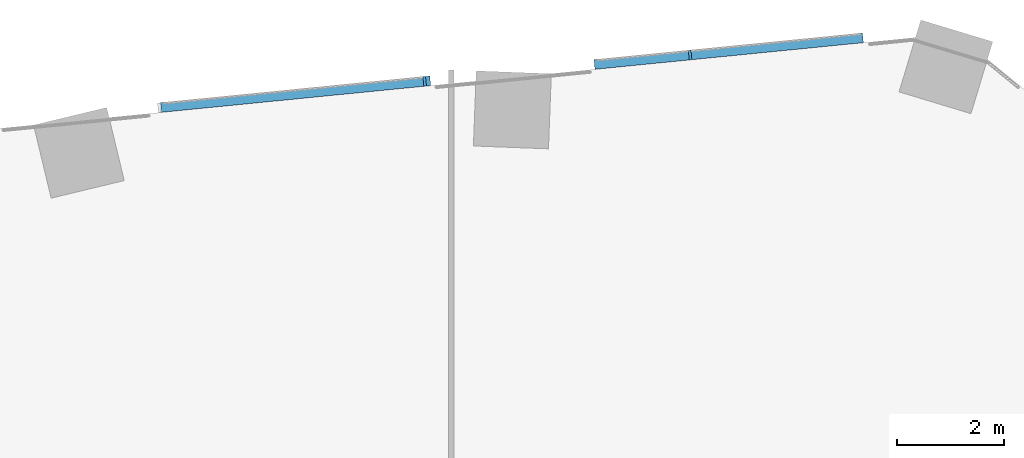
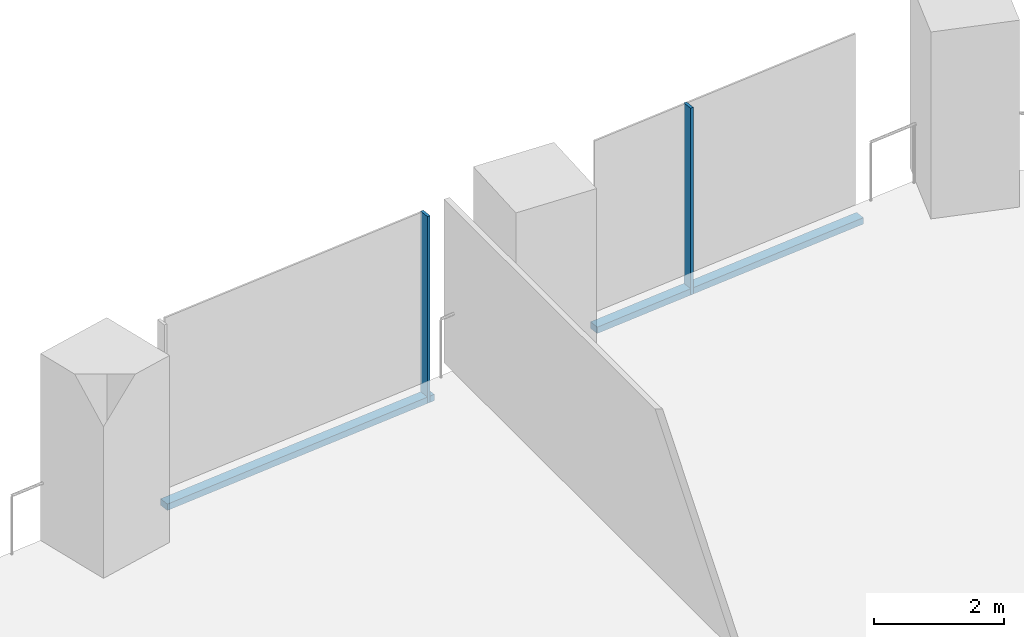
# One storey, part 12 of 34: 4 members, 1 element without a shape of its own.
"""IFC4 building model written with IfcOpenShell, lengths in metres."""

import ifcopenshell
import ifcopenshell.guid

model = None  # the IFC model being written
_history = None  # IfcOwnerHistory: only IFC2X3 demands one
_inside = {}  # id of a spatial element -> (the spatial element, [elements in it])
_under = {}  # id of a project, library or spatial element -> (it, [spatial elements below it])
_declared = {}  # id of a project -> (the project, [libraries it declares])
_typed = {}  # id of a type object -> (the type object, [elements of that type])
_made_of = {}  # id of a material, layer set ... -> (it, [elements and type objects made of it])


def new_model(schema):
    """Start an empty IFC model of exactly this schema.

    Asked for "IFC4X3", IfcOpenShell would pick the latest addendum, in which some entities
    have other attributes; the version numbers below select the first issue.
    IFC2X3 requires an IfcOwnerHistory on every rooted entity: one is made here for all.
    """
    global model, _history
    if schema == "IFC4X3":
        model = ifcopenshell.file(schema_version=(4, 3, 0, 0))
    else:
        model = ifcopenshell.file(schema=schema)
    _inside.clear()
    _under.clear()
    _declared.clear()
    _typed.clear()
    _made_of.clear()
    _history = None
    if model.schema == "IFC2X3":
        org = make("IfcOrganization", Name="unknown")
        user = make(
            "IfcPersonAndOrganization",
            ThePerson=make("IfcPerson", FamilyName="unknown"),
            TheOrganization=org,
        )
        app = make(
            "IfcApplication",
            ApplicationDeveloper=org,
            Version="unknown",
            ApplicationFullName="unknown",
            ApplicationIdentifier="unknown",
        )
        _history = make(
            "IfcOwnerHistory",
            OwningUser=user,
            OwningApplication=app,
            ChangeAction="ADDED",
            CreationDate=0,
        )
    return model


def make(cls, **values):
    """One entity of the class cls with the attributes given. An attribute that is None is left unset."""
    return model.create_entity(
        cls, **{name: value for name, value in values.items() if value is not None}
    )


def rooted(cls, **values):
    """An entity with a GlobalId (a new one), such as an element, a storey or a relation."""
    return make(cls, GlobalId=ifcopenshell.guid.new(), OwnerHistory=_history, **values)


def si_unit(unit_type, name, prefix=None):
    """IfcSIUnit, for example si_unit("LENGTHUNIT", "METRE", prefix="MILLI")."""
    return make("IfcSIUnit", UnitType=unit_type, Prefix=prefix, Name=name)


def assignment(units):
    """IfcUnitAssignment: the units of a project."""
    return None if units is None else make("IfcUnitAssignment", Units=units)


def point(xyz):
    """IfcCartesianPoint."""
    return None if xyz is None else make("IfcCartesianPoint", Coordinates=xyz)


def direction(xyz):
    """IfcDirection."""
    return None if xyz is None else make("IfcDirection", DirectionRatios=xyz)


def frame(location, z_axis=None, x_axis=None):
    """IfcAxis2Placement3D, a coordinate frame: its origin and axes. An axis left out is left unset."""
    return make(
        "IfcAxis2Placement3D",
        Location=point(location),
        Axis=direction(z_axis),
        RefDirection=direction(x_axis),
    )


def frame_2d(location, x_axis=None):
    """IfcAxis2Placement2D, a coordinate frame in the plane: its origin and x axis."""
    return make(
        "IfcAxis2Placement2D", Location=point(location), RefDirection=direction(x_axis)
    )


def origin():
    """The frame at (0, 0, 0) with its axes left unset."""
    return frame((0.0, 0.0, 0.0))


def origin_2d():
    """The frame at (0, 0) in the plane with its x axis left unset."""
    return frame_2d((0.0, 0.0))


def place(relative_to, where):
    """IfcLocalPlacement: puts the frame where relative to a parent placement (None: the world)."""
    return make(
        "IfcLocalPlacement", PlacementRelTo=relative_to, RelativePlacement=where
    )


def context(
    kind, dimensions, precision=None, world=None, true_north=None, identifier=None
):
    """IfcGeometricRepresentationContext, for example the 3D "Model" context."""
    return make(
        "IfcGeometricRepresentationContext",
        ContextIdentifier=identifier,
        ContextType=kind,
        CoordinateSpaceDimension=dimensions,
        Precision=precision,
        WorldCoordinateSystem=world,
        TrueNorth=true_north,
    )


def subcontext(parent, identifier, kind, view, scale=None):
    """IfcGeometricRepresentationSubContext, for example "Body" below "Model"."""
    return make(
        "IfcGeometricRepresentationSubContext",
        ContextIdentifier=identifier,
        ContextType=kind,
        ParentContext=parent,
        TargetScale=scale,
        TargetView=view,
    )


def project(units=None, contexts=None):
    """IfcProject with its units and contexts."""
    return rooted(
        "IfcProject",
        Name="project",
        RepresentationContexts=contexts,
        UnitsInContext=assignment(units),
    )


def spatial(cls, under=None, at=None, **own):
    """A site, building, storey or space (cls), placed at a placement, below another one or the project."""
    s = rooted(cls, ObjectPlacement=at, **own)
    if under is not None:
        _under.setdefault(under.id(), (under, []))[1].append(s)
    return s


def profile(cls, at=None, kind="AREA", **sizes):
    """A parametric profile (cls). Its sizes go by their IFC names, for example OverallWidth=200.0."""
    return make(cls, ProfileType=kind, Position=at, **sizes)


def rectangle(**sizes):
    """IfcRectangleProfileDef."""
    return profile("IfcRectangleProfileDef", **sizes)


def extrude(swept, where, along, depth):
    """IfcExtrudedAreaSolid: the profile swept, set in the frame where, extruded along a direction by depth."""
    return make(
        "IfcExtrudedAreaSolid",
        SweptArea=swept,
        Position=where,
        ExtrudedDirection=direction(along),
        Depth=depth,
    )


def shape(context_of_items, identifier, shape_type, items):
    """IfcShapeRepresentation: the items that make up one representation, for example the "Body"."""
    return make(
        "IfcShapeRepresentation",
        ContextOfItems=context_of_items,
        RepresentationIdentifier=identifier,
        RepresentationType=shape_type,
        Items=items,
    )


def material(Name=None, Category=None):
    """IfcMaterial."""
    return make("IfcMaterial", Name=Name, Category=Category)


def material_profile(
    of_material, cross_section, Name=None, Category=None, Priority=None
):
    """IfcMaterialProfile: a cross section and its material."""
    return make(
        "IfcMaterialProfile",
        Name=Name,
        Material=of_material,
        Profile=cross_section,
        Priority=Priority,
        Category=Category,
    )


def profile_set(profiles, Name=None, composite=None):
    """IfcMaterialProfileSet."""
    return make(
        "IfcMaterialProfileSet",
        Name=Name,
        MaterialProfiles=profiles,
        CompositeProfile=composite,
    )


def made_of(thing, what):
    """Note that an element or type object is made of a material, layer set ...; save() writes the relation."""
    if what is not None:
        _made_of.setdefault(what.id(), (what, []))[1].append(thing)
    return thing


def type_object(cls, material=None, **own):
    """A type object (cls), such as IfcWallType, which elements share."""
    return made_of(rooted(cls, **own), material)


def element(
    cls,
    number,
    at=None,
    inside=None,
    cuts=None,
    type_object=None,
    material=None,
    context=None,
    identifier="Body",
    shape_type=None,
    held_by="IfcProductDefinitionShape",
    body=None,
    shapes=None,
    **own,
):
    """One element of the class cls, such as IfcWall. Its Tag is "e" and its number.

    at: its placement. inside: the storey or other place that contains it. cuts: it is an
    opening in that element (IfcRelVoidsElement). A single representation is given by context,
    identifier, shape_type and body (its items); several are given by shapes. held_by: the class
    of the entity that holds the representations. save() writes the other relations.
    """
    e = rooted(cls, Tag="e%d" % number, ObjectPlacement=at, **own)
    if body is not None:
        shapes = [shape(context, identifier, shape_type, body)]
    if shapes is not None:
        e.Representation = make(held_by, Representations=shapes)
    if inside is not None:
        _inside.setdefault(inside.id(), (inside, []))[1].append(e)
    if cuts is not None:
        rooted(
            "IfcRelVoidsElement", RelatingBuildingElement=cuts, RelatedOpeningElement=e
        )
    if type_object is not None:
        _typed.setdefault(type_object.id(), (type_object, []))[1].append(e)
    return made_of(e, material)


def aggregate(whole, parts):
    """IfcRelAggregates: a whole, such as a stair, and the parts it consists of."""
    return rooted("IfcRelAggregates", RelatingObject=whole, RelatedObjects=parts)


def save(model, path):
    """Write the relations noted so far, then the file.

    IfcRelAggregates (storeys below a building ...), IfcRelContainedInSpatialStructure (elements
    in a storey), IfcRelDefinesByType, IfcRelAssociatesMaterial and IfcRelDeclares: one each for
    every whole, place, type object, material and project.
    """
    for whole, parts in _under.values():
        aggregate(whole, parts)
    for where, things in _inside.values():
        rooted(
            "IfcRelContainedInSpatialStructure",
            RelatedElements=things,
            RelatingStructure=where,
        )
    for kind, things in _typed.values():
        rooted("IfcRelDefinesByType", RelatedObjects=things, RelatingType=kind)
    for what, things in _made_of.values():
        rooted("IfcRelAssociatesMaterial", RelatedObjects=things, RelatingMaterial=what)
    for by, libraries in _declared.values():
        rooted("IfcRelDeclares", RelatingContext=by, RelatedDefinitions=libraries)
    model.write(path)


model = new_model("IFC4")

# Units and contexts
model_context = context("Model", 3, precision=1e-05, world=origin(), true_north=direction((0.0, 1.0)))
body_context = subcontext(model_context, "Body", "Model", "MODEL_VIEW")
ifc_project = project(units=[si_unit("LENGTHUNIT", "METRE"), si_unit("AREAUNIT", "SQUARE_METRE"), si_unit("VOLUMEUNIT", "CUBIC_METRE"), si_unit("PLANEANGLEUNIT", "RADIAN"), si_unit("MASSUNIT", "GRAM", prefix="KILO")], contexts=[model_context])

# Site, building, storey
site_placement = place(None, origin())
site = spatial("IfcSite", under=ifc_project, at=site_placement, CompositionType="ELEMENT")
building_placement = place(site_placement, origin())
building = spatial("IfcBuilding", under=site, at=building_placement, Name="Orlundy Tower", CompositionType="ELEMENT")
storey_placement = place(building_placement, frame((0.0, 0.0, 37.300048828125)))
storey = spatial("IfcBuildingStorey", under=building, at=storey_placement, Name="L07", CompositionType="ELEMENT", Elevation=37.300048828125)

# Curtain wall, members
ifc_material_1 = material(Name="Aluminium bronze anodised", Category="aluminium")
curtain_wall_type = type_object("IfcCurtainWallType", Name="CW1 wall", PredefinedType="NOTDEFINED", material=ifc_material_1)
curtain_wall_placement = place(storey_placement, origin())
curtain_wall = element("IfcCurtainWall", 1, at=curtain_wall_placement, inside=storey, type_object=curtain_wall_type, Name="CW1 run 03", PredefinedType="NOTDEFINED")
ifc_material_2 = material(Name="Aluminium bronze anodised", Category="aluminium")
ifc_material_profile_1 = material_profile(ifc_material_2, rectangle(XDim=0.179931640625, YDim=0.050048828125, at=origin_2d()), Name="CW1 mullion 50x180")
ifc_profile_set_1 = profile_set([ifc_material_profile_1], Name="Aluminium bronze anodised")
member_type_1 = type_object("IfcMemberType", Name="CW1 mullion 50x180", PredefinedType="MULLION", material=ifc_profile_set_1)
member_1_placement = place(storey_placement, frame((-0.498291015625, 30.18798828125, -0.420166015625), z_axis=(0.0, 0.0, 1.0), x_axis=(-0.098742763424, 0.995112991912, 0.0)))
member_1 = element("IfcMember", 2, at=member_1_placement, type_object=member_type_1, Name="CW1 mullion 17", PredefinedType="MULLION", context=body_context, shape_type="SweptSolid", body=[
    extrude(rectangle(XDim=0.179931640625, YDim=0.050048828125, at=origin_2d()), origin(), (0.0, 0.0, 1.0), 3.5),
])
member_2_placement = place(storey_placement, frame((4.447998046875, 30.6787109375, -0.420166015625), z_axis=(0.0, 0.0, 1.0), x_axis=(-0.098742763424, 0.995112991912, 0.0)))
member_2 = element("IfcMember", 3, at=member_2_placement, type_object=member_type_1, Name="CW1 mullion 18", PredefinedType="MULLION", context=body_context, shape_type="SweptSolid", body=[
    extrude(rectangle(XDim=0.179931640625, YDim=0.050048828125, at=origin_2d()), origin(), (0.0, 0.0, 1.0), 3.5),
])
ifc_material_3 = material(Name="Aluminium bronze anodised", Category="aluminium")
ifc_material_profile_2 = material_profile(ifc_material_3, rectangle(XDim=0.179931640625, YDim=0.1201171875, at=origin_2d()), Name="CW1 transom 180x120")
ifc_profile_set_2 = profile_set([ifc_material_profile_2], Name="Aluminium bronze anodised")
member_type_2 = type_object("IfcMemberType", Name="CW1 transom 180x120", PredefinedType="USERDEFINED", material=ifc_profile_set_2)
member_3_placement = place(storey_placement, frame((-5.4111328125, 29.700439453125, -0.360107421875), z_axis=(0.995112189278, 0.098750851897, 0.0), x_axis=(-0.098750851897, 0.995112189278, 0.0)))
member_3 = element("IfcMember", 4, at=member_3_placement, type_object=member_type_2, Name="CW1 transom", ObjectType="TRANSOM", PredefinedType="USERDEFINED", context=body_context, shape_type="SweptSolid", body=[
    extrude(rectangle(XDim=0.179931640625, YDim=0.1201171875, at=origin_2d()), origin(), (0.0, 0.0, 1.0), 5.041015625),
])
member_4_placement = place(storey_placement, frame((2.6669921875, 30.501953125, -0.360107421875), z_axis=(0.995113355266, 0.09873910153, 0.0), x_axis=(-0.09873910153, 0.995113355266, 0.0)))
member_4 = element("IfcMember", 5, at=member_4_placement, type_object=member_type_2, Name="CW1 transom", ObjectType="TRANSOM", PredefinedType="USERDEFINED", context=body_context, shape_type="SweptSolid", body=[
    extrude(rectangle(XDim=0.179931640625, YDim=0.1201171875, at=origin_2d()), origin(), (0.0, 0.0, 1.0), 5.02685546875),
])
aggregate(curtain_wall, [member_1, member_2, member_3, member_4])

save(model, "model.ifc")
